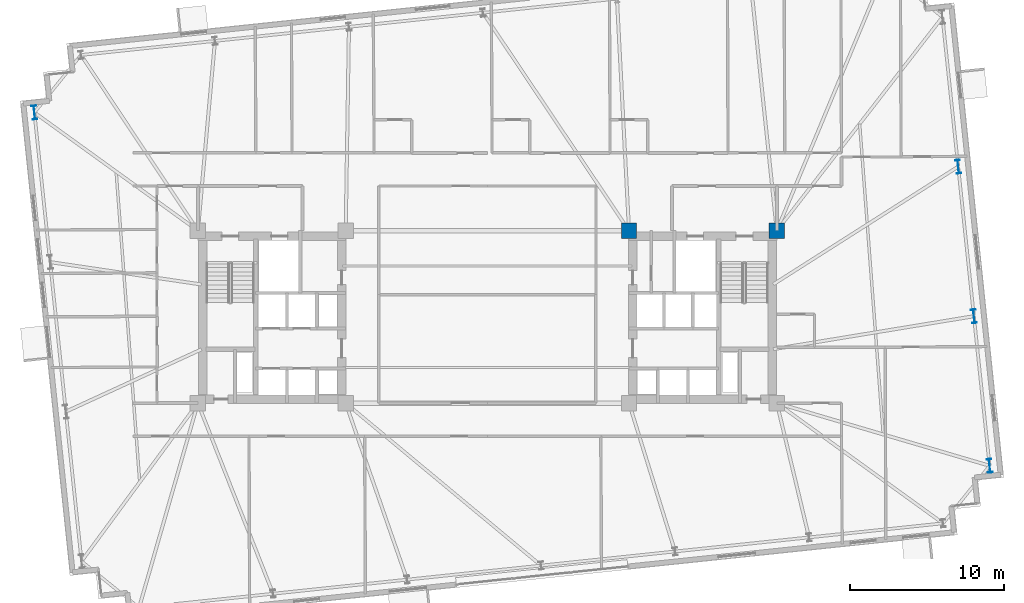
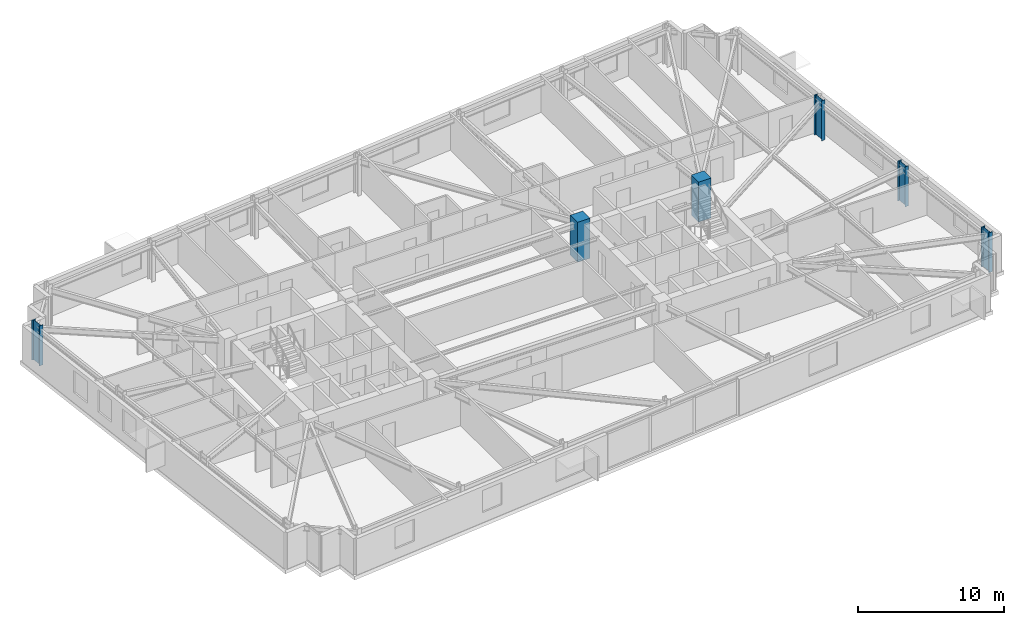
# One storey, part 2 of 22: 6 columns.
"""IFC4 building model written with IfcOpenShell, lengths in metres."""

import ifcopenshell
import ifcopenshell.guid

model = None  # the IFC model being written
_history = None  # IfcOwnerHistory: only IFC2X3 demands one
_inside = {}  # id of a spatial element -> (the spatial element, [elements in it])
_under = {}  # id of a project, library or spatial element -> (it, [spatial elements below it])
_declared = {}  # id of a project -> (the project, [libraries it declares])
_typed = {}  # id of a type object -> (the type object, [elements of that type])
_made_of = {}  # id of a material, layer set ... -> (it, [elements and type objects made of it])


def new_model(schema):
    """Start an empty IFC model of exactly this schema.

    Asked for "IFC4X3", IfcOpenShell would pick the latest addendum, in which some entities
    have other attributes; the version numbers below select the first issue.
    IFC2X3 requires an IfcOwnerHistory on every rooted entity: one is made here for all.
    """
    global model, _history
    if schema == "IFC4X3":
        model = ifcopenshell.file(schema_version=(4, 3, 0, 0))
    else:
        model = ifcopenshell.file(schema=schema)
    _inside.clear()
    _under.clear()
    _declared.clear()
    _typed.clear()
    _made_of.clear()
    _history = None
    if model.schema == "IFC2X3":
        org = make("IfcOrganization", Name="unknown")
        user = make(
            "IfcPersonAndOrganization",
            ThePerson=make("IfcPerson", FamilyName="unknown"),
            TheOrganization=org,
        )
        app = make(
            "IfcApplication",
            ApplicationDeveloper=org,
            Version="unknown",
            ApplicationFullName="unknown",
            ApplicationIdentifier="unknown",
        )
        _history = make(
            "IfcOwnerHistory",
            OwningUser=user,
            OwningApplication=app,
            ChangeAction="ADDED",
            CreationDate=0,
        )
    return model


def make(cls, **values):
    """One entity of the class cls with the attributes given. An attribute that is None is left unset."""
    return model.create_entity(
        cls, **{name: value for name, value in values.items() if value is not None}
    )


def rooted(cls, **values):
    """An entity with a GlobalId (a new one), such as an element, a storey or a relation."""
    return make(cls, GlobalId=ifcopenshell.guid.new(), OwnerHistory=_history, **values)


def si_unit(unit_type, name, prefix=None):
    """IfcSIUnit, for example si_unit("LENGTHUNIT", "METRE", prefix="MILLI")."""
    return make("IfcSIUnit", UnitType=unit_type, Prefix=prefix, Name=name)


def assignment(units):
    """IfcUnitAssignment: the units of a project."""
    return None if units is None else make("IfcUnitAssignment", Units=units)


def point(xyz):
    """IfcCartesianPoint."""
    return None if xyz is None else make("IfcCartesianPoint", Coordinates=xyz)


def direction(xyz):
    """IfcDirection."""
    return None if xyz is None else make("IfcDirection", DirectionRatios=xyz)


def frame(location, z_axis=None, x_axis=None):
    """IfcAxis2Placement3D, a coordinate frame: its origin and axes. An axis left out is left unset."""
    return make(
        "IfcAxis2Placement3D",
        Location=point(location),
        Axis=direction(z_axis),
        RefDirection=direction(x_axis),
    )


def frame_2d(location, x_axis=None):
    """IfcAxis2Placement2D, a coordinate frame in the plane: its origin and x axis."""
    return make(
        "IfcAxis2Placement2D", Location=point(location), RefDirection=direction(x_axis)
    )


def origin():
    """The frame at (0, 0, 0) with its axes left unset."""
    return frame((0.0, 0.0, 0.0))


def origin_2d():
    """The frame at (0, 0) in the plane with its x axis left unset."""
    return frame_2d((0.0, 0.0))


def place(relative_to, where):
    """IfcLocalPlacement: puts the frame where relative to a parent placement (None: the world)."""
    return make(
        "IfcLocalPlacement", PlacementRelTo=relative_to, RelativePlacement=where
    )


def context(
    kind, dimensions, precision=None, world=None, true_north=None, identifier=None
):
    """IfcGeometricRepresentationContext, for example the 3D "Model" context."""
    return make(
        "IfcGeometricRepresentationContext",
        ContextIdentifier=identifier,
        ContextType=kind,
        CoordinateSpaceDimension=dimensions,
        Precision=precision,
        WorldCoordinateSystem=world,
        TrueNorth=true_north,
    )


def subcontext(parent, identifier, kind, view, scale=None):
    """IfcGeometricRepresentationSubContext, for example "Body" below "Model"."""
    return make(
        "IfcGeometricRepresentationSubContext",
        ContextIdentifier=identifier,
        ContextType=kind,
        ParentContext=parent,
        TargetScale=scale,
        TargetView=view,
    )


def project(units=None, contexts=None):
    """IfcProject with its units and contexts."""
    return rooted(
        "IfcProject",
        Name="project",
        RepresentationContexts=contexts,
        UnitsInContext=assignment(units),
    )


def spatial(cls, under=None, at=None, **own):
    """A site, building, storey or space (cls), placed at a placement, below another one or the project."""
    s = rooted(cls, ObjectPlacement=at, **own)
    if under is not None:
        _under.setdefault(under.id(), (under, []))[1].append(s)
    return s


def profile(cls, at=None, kind="AREA", **sizes):
    """A parametric profile (cls). Its sizes go by their IFC names, for example OverallWidth=200.0."""
    return make(cls, ProfileType=kind, Position=at, **sizes)


def rectangle(**sizes):
    """IfcRectangleProfileDef."""
    return profile("IfcRectangleProfileDef", **sizes)


def i_section(**sizes):
    """IfcIShapeProfileDef."""
    return profile("IfcIShapeProfileDef", **sizes)


def extrude(swept, where, along, depth):
    """IfcExtrudedAreaSolid: the profile swept, set in the frame where, extruded along a direction by depth."""
    return make(
        "IfcExtrudedAreaSolid",
        SweptArea=swept,
        Position=where,
        ExtrudedDirection=direction(along),
        Depth=depth,
    )


def shape(context_of_items, identifier, shape_type, items):
    """IfcShapeRepresentation: the items that make up one representation, for example the "Body"."""
    return make(
        "IfcShapeRepresentation",
        ContextOfItems=context_of_items,
        RepresentationIdentifier=identifier,
        RepresentationType=shape_type,
        Items=items,
    )


def material(Name=None, Category=None):
    """IfcMaterial."""
    return make("IfcMaterial", Name=Name, Category=Category)


def material_profile(
    of_material, cross_section, Name=None, Category=None, Priority=None
):
    """IfcMaterialProfile: a cross section and its material."""
    return make(
        "IfcMaterialProfile",
        Name=Name,
        Material=of_material,
        Profile=cross_section,
        Priority=Priority,
        Category=Category,
    )


def profile_set(profiles, Name=None, composite=None):
    """IfcMaterialProfileSet."""
    return make(
        "IfcMaterialProfileSet",
        Name=Name,
        MaterialProfiles=profiles,
        CompositeProfile=composite,
    )


def made_of(thing, what):
    """Note that an element or type object is made of a material, layer set ...; save() writes the relation."""
    if what is not None:
        _made_of.setdefault(what.id(), (what, []))[1].append(thing)
    return thing


def type_object(cls, material=None, **own):
    """A type object (cls), such as IfcWallType, which elements share."""
    return made_of(rooted(cls, **own), material)


def element(
    cls,
    number,
    at=None,
    inside=None,
    cuts=None,
    type_object=None,
    material=None,
    context=None,
    identifier="Body",
    shape_type=None,
    held_by="IfcProductDefinitionShape",
    body=None,
    shapes=None,
    **own,
):
    """One element of the class cls, such as IfcWall. Its Tag is "e" and its number.

    at: its placement. inside: the storey or other place that contains it. cuts: it is an
    opening in that element (IfcRelVoidsElement). A single representation is given by context,
    identifier, shape_type and body (its items); several are given by shapes. held_by: the class
    of the entity that holds the representations. save() writes the other relations.
    """
    e = rooted(cls, Tag="e%d" % number, ObjectPlacement=at, **own)
    if body is not None:
        shapes = [shape(context, identifier, shape_type, body)]
    if shapes is not None:
        e.Representation = make(held_by, Representations=shapes)
    if inside is not None:
        _inside.setdefault(inside.id(), (inside, []))[1].append(e)
    if cuts is not None:
        rooted(
            "IfcRelVoidsElement", RelatingBuildingElement=cuts, RelatedOpeningElement=e
        )
    if type_object is not None:
        _typed.setdefault(type_object.id(), (type_object, []))[1].append(e)
    return made_of(e, material)


def aggregate(whole, parts):
    """IfcRelAggregates: a whole, such as a stair, and the parts it consists of."""
    return rooted("IfcRelAggregates", RelatingObject=whole, RelatedObjects=parts)


def save(model, path):
    """Write the relations noted so far, then the file.

    IfcRelAggregates (storeys below a building ...), IfcRelContainedInSpatialStructure (elements
    in a storey), IfcRelDefinesByType, IfcRelAssociatesMaterial and IfcRelDeclares: one each for
    every whole, place, type object, material and project.
    """
    for whole, parts in _under.values():
        aggregate(whole, parts)
    for where, things in _inside.values():
        rooted(
            "IfcRelContainedInSpatialStructure",
            RelatedElements=things,
            RelatingStructure=where,
        )
    for kind, things in _typed.values():
        rooted("IfcRelDefinesByType", RelatedObjects=things, RelatingType=kind)
    for what, things in _made_of.values():
        rooted("IfcRelAssociatesMaterial", RelatedObjects=things, RelatingMaterial=what)
    for by, libraries in _declared.values():
        rooted("IfcRelDeclares", RelatingContext=by, RelatedDefinitions=libraries)
    model.write(path)


model = new_model("IFC4")

# Units and contexts
model_context = context("Model", 3, precision=1e-05, world=origin(), true_north=direction((0.0, 1.0)))
body_context = subcontext(model_context, "Body", "Model", "MODEL_VIEW")
ifc_project = project(units=[si_unit("LENGTHUNIT", "METRE"), si_unit("AREAUNIT", "SQUARE_METRE"), si_unit("VOLUMEUNIT", "CUBIC_METRE"), si_unit("PLANEANGLEUNIT", "RADIAN"), si_unit("MASSUNIT", "GRAM", prefix="KILO")], contexts=[model_context])

# Site, building, storey
site_placement = place(None, origin())
site = spatial("IfcSite", under=ifc_project, at=site_placement, CompositionType="ELEMENT")
building_placement = place(site_placement, origin())
building = spatial("IfcBuilding", under=site, at=building_placement, Name="Qobustan Lattice House", CompositionType="ELEMENT")
storey_placement = place(building_placement, frame((0.0, 0.0, 99.10009765625)))
storey = spatial("IfcBuildingStorey", under=building, at=storey_placement, Name="L27", CompositionType="ELEMENT", Elevation=99.10009765625)

# Columns
ifc_material_1 = material(Name="Concrete C60/75", Category="concrete")
ifc_material_profile_1 = material_profile(ifc_material_1, rectangle(XDim=1.0, YDim=1.0, at=origin_2d()), Name="RC1000x1000")
ifc_profile_set_1 = profile_set([ifc_material_profile_1], Name="Concrete C60/75")
column_type_1 = type_object("IfcColumnType", Name="COL-RC-1000", PredefinedType="COLUMN", material=ifc_profile_set_1)
for number, where, z_axis, x_axis, name in (
    (1, (9.199951171875, 5.60009765625, 0.0), (0.0, 0.0, 1.0), (1.0, 0.0, 0.0), "L27 core mega-column CE-NW"),
    (2, (18.800048828125, 5.60009765625, 0.0), (0.0, 0.0, 1.0), (1.0, 0.0, 0.0), "L27 core mega-column CE-NE"),
):
    element("IfcColumn", number, at=place(storey_placement, frame(where, z_axis=z_axis, x_axis=x_axis)), inside=storey, type_object=column_type_1, Name=name, PredefinedType="COLUMN", context=body_context, shape_type="SweptSolid", body=[
        extrude(rectangle(XDim=1.0, YDim=1.0, at=origin_2d()), origin(), (0.0, 0.0, 1.0), 3.349853515625),
    ])
ifc_material_2 = material(Name="Steel S355", Category="steel")
ifc_material_profile_2 = material_profile(ifc_material_2, i_section(OverallWidth=0.300048828125, OverallDepth=0.89990234375, WebThickness=0.0185546875, FlangeThickness=0.034912109375, FilletRadius=0.030029296875, at=origin_2d()), Name="HEB900")
ifc_profile_set_2 = profile_set([ifc_material_profile_2], Name="Steel S355")
column_type_2 = type_object("IfcColumnType", Name="COL-ST-HEB900", PredefinedType="COLUMN", material=ifc_profile_set_2)
for number, where, z_axis, x_axis, name in (
    (3, (32.618896484375, -9.67041015625, 0.0), (0.0, 0.0, 1.0), (0.994521895368, 0.104528463268, 0.0), "L27 B2 perimeter column E1"),
    (4, (31.597900390625, 0.042724609375, 0.0), (0.0, 0.0, 1.0), (0.994521895368, 0.104528463268, 0.0), "L27 B2 perimeter column E2"),
    (5, (30.5771484375, 9.755859375, 0.0), (0.0, 0.0, 1.0), (0.994521895368, 0.104528463268, 0.0), "L27 B2 perimeter column E3"),
    (6, (-29.4189453125, 13.2705078125, 0.0), (0.0, 0.0, 1.0), (0.994521895368, 0.104528463268, 0.0), "L27 B2 perimeter column W1"),
):
    element("IfcColumn", number, at=place(storey_placement, frame(where, z_axis=z_axis, x_axis=x_axis)), inside=storey, type_object=column_type_2, Name=name, PredefinedType="COLUMN", context=body_context, shape_type="SweptSolid", body=[
        extrude(i_section(OverallWidth=0.300048828125, OverallDepth=0.89990234375, WebThickness=0.0185546875, FlangeThickness=0.034912109375, FilletRadius=0.030029296875, at=origin_2d()), origin(), (0.0, 0.0, 1.0), 3.349853515625),
    ])

save(model, "model.ifc")
